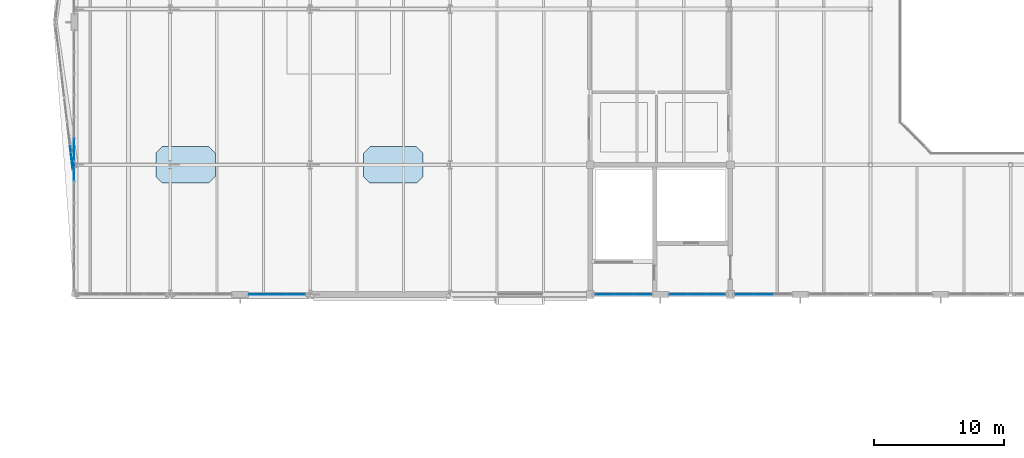
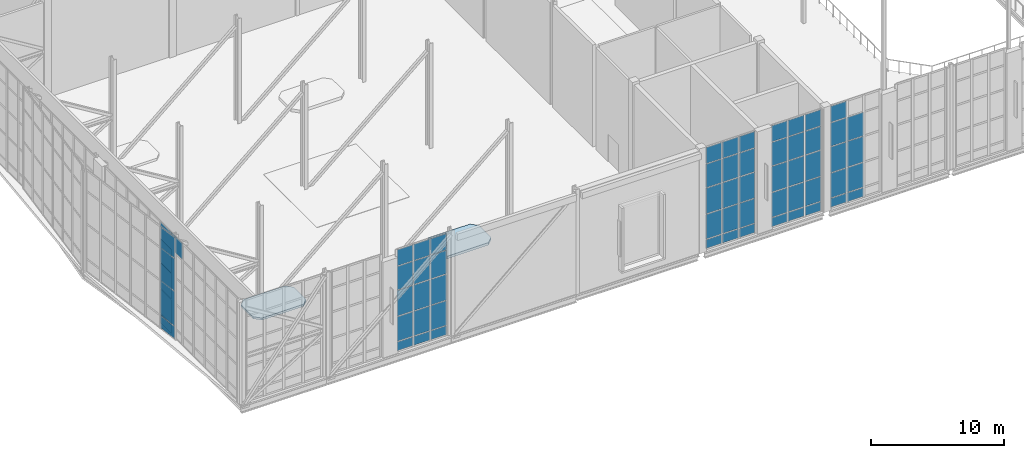
# One storey, part 62 of 100: 64 plates, 2 slabs, 6 elements without a shape of their own.
"""IFC4 building model written with IfcOpenShell, lengths in metres."""

import ifcopenshell
import ifcopenshell.guid

model = None  # the IFC model being written
_history = None  # IfcOwnerHistory: only IFC2X3 demands one
_inside = {}  # id of a spatial element -> (the spatial element, [elements in it])
_under = {}  # id of a project, library or spatial element -> (it, [spatial elements below it])
_declared = {}  # id of a project -> (the project, [libraries it declares])
_typed = {}  # id of a type object -> (the type object, [elements of that type])
_made_of = {}  # id of a material, layer set ... -> (it, [elements and type objects made of it])


def new_model(schema):
    """Start an empty IFC model of exactly this schema.

    Asked for "IFC4X3", IfcOpenShell would pick the latest addendum, in which some entities
    have other attributes; the version numbers below select the first issue.
    IFC2X3 requires an IfcOwnerHistory on every rooted entity: one is made here for all.
    """
    global model, _history
    if schema == "IFC4X3":
        model = ifcopenshell.file(schema_version=(4, 3, 0, 0))
    else:
        model = ifcopenshell.file(schema=schema)
    _inside.clear()
    _under.clear()
    _declared.clear()
    _typed.clear()
    _made_of.clear()
    _history = None
    if model.schema == "IFC2X3":
        org = make("IfcOrganization", Name="unknown")
        user = make(
            "IfcPersonAndOrganization",
            ThePerson=make("IfcPerson", FamilyName="unknown"),
            TheOrganization=org,
        )
        app = make(
            "IfcApplication",
            ApplicationDeveloper=org,
            Version="unknown",
            ApplicationFullName="unknown",
            ApplicationIdentifier="unknown",
        )
        _history = make(
            "IfcOwnerHistory",
            OwningUser=user,
            OwningApplication=app,
            ChangeAction="ADDED",
            CreationDate=0,
        )
    return model


def make(cls, **values):
    """One entity of the class cls with the attributes given. An attribute that is None is left unset."""
    return model.create_entity(
        cls, **{name: value for name, value in values.items() if value is not None}
    )


def rooted(cls, **values):
    """An entity with a GlobalId (a new one), such as an element, a storey or a relation."""
    return make(cls, GlobalId=ifcopenshell.guid.new(), OwnerHistory=_history, **values)


def si_unit(unit_type, name, prefix=None):
    """IfcSIUnit, for example si_unit("LENGTHUNIT", "METRE", prefix="MILLI")."""
    return make("IfcSIUnit", UnitType=unit_type, Prefix=prefix, Name=name)


def assignment(units):
    """IfcUnitAssignment: the units of a project."""
    return None if units is None else make("IfcUnitAssignment", Units=units)


def point(xyz):
    """IfcCartesianPoint."""
    return None if xyz is None else make("IfcCartesianPoint", Coordinates=xyz)


def direction(xyz):
    """IfcDirection."""
    return None if xyz is None else make("IfcDirection", DirectionRatios=xyz)


def frame(location, z_axis=None, x_axis=None):
    """IfcAxis2Placement3D, a coordinate frame: its origin and axes. An axis left out is left unset."""
    return make(
        "IfcAxis2Placement3D",
        Location=point(location),
        Axis=direction(z_axis),
        RefDirection=direction(x_axis),
    )


def frame_2d(location, x_axis=None):
    """IfcAxis2Placement2D, a coordinate frame in the plane: its origin and x axis."""
    return make(
        "IfcAxis2Placement2D", Location=point(location), RefDirection=direction(x_axis)
    )


def origin():
    """The frame at (0, 0, 0) with its axes left unset."""
    return frame((0.0, 0.0, 0.0))


def origin_2d():
    """The frame at (0, 0) in the plane with its x axis left unset."""
    return frame_2d((0.0, 0.0))


def place(relative_to, where):
    """IfcLocalPlacement: puts the frame where relative to a parent placement (None: the world)."""
    return make(
        "IfcLocalPlacement", PlacementRelTo=relative_to, RelativePlacement=where
    )


def context(
    kind, dimensions, precision=None, world=None, true_north=None, identifier=None
):
    """IfcGeometricRepresentationContext, for example the 3D "Model" context."""
    return make(
        "IfcGeometricRepresentationContext",
        ContextIdentifier=identifier,
        ContextType=kind,
        CoordinateSpaceDimension=dimensions,
        Precision=precision,
        WorldCoordinateSystem=world,
        TrueNorth=true_north,
    )


def subcontext(parent, identifier, kind, view, scale=None):
    """IfcGeometricRepresentationSubContext, for example "Body" below "Model"."""
    return make(
        "IfcGeometricRepresentationSubContext",
        ContextIdentifier=identifier,
        ContextType=kind,
        ParentContext=parent,
        TargetScale=scale,
        TargetView=view,
    )


def project(units=None, contexts=None):
    """IfcProject with its units and contexts."""
    return rooted(
        "IfcProject",
        Name="project",
        RepresentationContexts=contexts,
        UnitsInContext=assignment(units),
    )


def spatial(cls, under=None, at=None, **own):
    """A site, building, storey or space (cls), placed at a placement, below another one or the project."""
    s = rooted(cls, ObjectPlacement=at, **own)
    if under is not None:
        _under.setdefault(under.id(), (under, []))[1].append(s)
    return s


def polyline(points):
    """IfcPolyline through the points."""
    return make("IfcPolyline", Points=[point(p) for p in points])


def profile(cls, at=None, kind="AREA", **sizes):
    """A parametric profile (cls). Its sizes go by their IFC names, for example OverallWidth=200.0."""
    return make(cls, ProfileType=kind, Position=at, **sizes)


def rectangle(**sizes):
    """IfcRectangleProfileDef."""
    return profile("IfcRectangleProfileDef", **sizes)


def outline(outer, holes=None, kind="AREA"):
    """IfcArbitraryClosedProfileDef: a profile drawn as a closed curve; with holes, ...WithVoids."""
    if holes is None:
        return make("IfcArbitraryClosedProfileDef", ProfileType=kind, OuterCurve=outer)
    return make(
        "IfcArbitraryProfileDefWithVoids",
        ProfileType=kind,
        OuterCurve=outer,
        InnerCurves=holes,
    )


def extrude(swept, where, along, depth):
    """IfcExtrudedAreaSolid: the profile swept, set in the frame where, extruded along a direction by depth."""
    return make(
        "IfcExtrudedAreaSolid",
        SweptArea=swept,
        Position=where,
        ExtrudedDirection=direction(along),
        Depth=depth,
    )


def shape(context_of_items, identifier, shape_type, items):
    """IfcShapeRepresentation: the items that make up one representation, for example the "Body"."""
    return make(
        "IfcShapeRepresentation",
        ContextOfItems=context_of_items,
        RepresentationIdentifier=identifier,
        RepresentationType=shape_type,
        Items=items,
    )


def material(Name=None, Category=None):
    """IfcMaterial."""
    return make("IfcMaterial", Name=Name, Category=Category)


def layer(
    of_material, thickness, ventilated=None, Name=None, Category=None, Priority=None
):
    """IfcMaterialLayer: one layer of a wall or slab, of a material (None: an air gap)."""
    return make(
        "IfcMaterialLayer",
        Material=of_material,
        LayerThickness=thickness,
        IsVentilated=ventilated,
        Name=Name,
        Category=Category,
        Priority=Priority,
    )


def layer_set(layers, Name=None):
    """IfcMaterialLayerSet."""
    return make("IfcMaterialLayerSet", MaterialLayers=layers, LayerSetName=Name)


def made_of(thing, what):
    """Note that an element or type object is made of a material, layer set ...; save() writes the relation."""
    if what is not None:
        _made_of.setdefault(what.id(), (what, []))[1].append(thing)
    return thing


def type_object(cls, material=None, **own):
    """A type object (cls), such as IfcWallType, which elements share."""
    return made_of(rooted(cls, **own), material)


def element(
    cls,
    number,
    at=None,
    inside=None,
    cuts=None,
    type_object=None,
    material=None,
    context=None,
    identifier="Body",
    shape_type=None,
    held_by="IfcProductDefinitionShape",
    body=None,
    shapes=None,
    **own,
):
    """One element of the class cls, such as IfcWall. Its Tag is "e" and its number.

    at: its placement. inside: the storey or other place that contains it. cuts: it is an
    opening in that element (IfcRelVoidsElement). A single representation is given by context,
    identifier, shape_type and body (its items); several are given by shapes. held_by: the class
    of the entity that holds the representations. save() writes the other relations.
    """
    e = rooted(cls, Tag="e%d" % number, ObjectPlacement=at, **own)
    if body is not None:
        shapes = [shape(context, identifier, shape_type, body)]
    if shapes is not None:
        e.Representation = make(held_by, Representations=shapes)
    if inside is not None:
        _inside.setdefault(inside.id(), (inside, []))[1].append(e)
    if cuts is not None:
        rooted(
            "IfcRelVoidsElement", RelatingBuildingElement=cuts, RelatedOpeningElement=e
        )
    if type_object is not None:
        _typed.setdefault(type_object.id(), (type_object, []))[1].append(e)
    return made_of(e, material)


def aggregate(whole, parts):
    """IfcRelAggregates: a whole, such as a stair, and the parts it consists of."""
    return rooted("IfcRelAggregates", RelatingObject=whole, RelatedObjects=parts)


def save(model, path):
    """Write the relations noted so far, then the file.

    IfcRelAggregates (storeys below a building ...), IfcRelContainedInSpatialStructure (elements
    in a storey), IfcRelDefinesByType, IfcRelAssociatesMaterial and IfcRelDeclares: one each for
    every whole, place, type object, material and project.
    """
    for whole, parts in _under.values():
        aggregate(whole, parts)
    for where, things in _inside.values():
        rooted(
            "IfcRelContainedInSpatialStructure",
            RelatedElements=things,
            RelatingStructure=where,
        )
    for kind, things in _typed.values():
        rooted("IfcRelDefinesByType", RelatedObjects=things, RelatingType=kind)
    for what, things in _made_of.values():
        rooted("IfcRelAssociatesMaterial", RelatedObjects=things, RelatingMaterial=what)
    for by, libraries in _declared.values():
        rooted("IfcRelDeclares", RelatingContext=by, RelatedDefinitions=libraries)
    model.write(path)


model = new_model("IFC4")

# Units and contexts
model_context = context("Model", 3, precision=1e-05, world=origin(), true_north=direction((0.0, 1.0)))
body_context = subcontext(model_context, "Body", "Model", "MODEL_VIEW")
ifc_project = project(units=[si_unit("LENGTHUNIT", "METRE"), si_unit("AREAUNIT", "SQUARE_METRE"), si_unit("VOLUMEUNIT", "CUBIC_METRE"), si_unit("PLANEANGLEUNIT", "RADIAN"), si_unit("MASSUNIT", "GRAM", prefix="KILO")], contexts=[model_context])

# Site, building, storey
site_placement = place(None, origin())
site = spatial("IfcSite", under=ifc_project, at=site_placement, CompositionType="ELEMENT")
building_placement = place(site_placement, origin())
building = spatial("IfcBuilding", under=site, at=building_placement, Name="Tasgan Crest Museum", CompositionType="ELEMENT")
storey_placement = place(building_placement, frame((0.0, 0.0, 14.39990234375)))
storey = spatial("IfcBuildingStorey", under=building, at=storey_placement, Name="L03", CompositionType="ELEMENT", Elevation=14.39990234375)

# Curtain wall, plate
ifc_material_1 = material(Name="Triple-Glazed Aluminium Curtain Wall", Category="aluminium")
ifc_layer_1 = layer(ifc_material_1, 0.179931640625, Name="CW-CANT-TIP-96")
ifc_layer_set_1 = layer_set([ifc_layer_1], Name="Triple-Glazed Aluminium Curtain Wall")
curtain_wall_type_1 = type_object("IfcCurtainWallType", Name="CW-CANT-TIP-96", PredefinedType="NOTDEFINED", material=ifc_layer_set_1)
curtain_wall_1_placement = place(storey_placement, origin())
curtain_wall_1 = element("IfcCurtainWall", 1, at=curtain_wall_1_placement, inside=storey, type_object=curtain_wall_type_1, Name="Curtain wall L03 139", PredefinedType="NOTDEFINED")
ifc_material_2 = material(Name="Insulated Spandrel Glass", Category="glass")
ifc_layer_2 = layer(ifc_material_2, 0.052001953125, Name="CW-PANEL-SPANDREL")
ifc_layer_set_2 = layer_set([ifc_layer_2], Name="Insulated Spandrel Glass")
plate_type_1 = type_object("IfcPlateType", Name="CW-PANEL-SPANDREL", PredefinedType="CURTAIN_PANEL", material=ifc_layer_set_2)
plate_1_placement = place(storey_placement, frame((3.39990234375, 51.19287109375, 0.06005859375), z_axis=(0.0, 0.0, 1.0), x_axis=(0.0, -1.0, 0.0)))
plate_1 = element("IfcPlate", 2, at=plate_1_placement, type_object=plate_type_1, Name="CW10 panel 6.1", PredefinedType="CURTAIN_PANEL", context=body_context, shape_type="SweptSolid", body=[
    extrude(rectangle(XDim=1.605712890625, YDim=0.028076171875, at=origin_2d()), origin(), (0.0, 0.0, 1.0), 0.81005859375),
])

# Curtain wall, plates
ifc_material_3 = material(Name="Triple-Glazed Aluminium Curtain Wall", Category="aluminium")
ifc_layer_3 = layer(ifc_material_3, 0.179931640625, Name="CW-CANT-SIDE-96")
ifc_layer_set_3 = layer_set([ifc_layer_3], Name="Triple-Glazed Aluminium Curtain Wall")
curtain_wall_type_2 = type_object("IfcCurtainWallType", Name="CW-CANT-SIDE-96", PredefinedType="NOTDEFINED", material=ifc_layer_set_3)
curtain_wall_2_placement = place(storey_placement, origin())
curtain_wall_2 = element("IfcCurtainWall", 3, at=curtain_wall_2_placement, inside=storey, type_object=curtain_wall_type_2, Name="Curtain wall L03 142", PredefinedType="NOTDEFINED")
plate_2_placement = place(storey_placement, frame((17.591552734375, 40.0, 0.06005859375), z_axis=(0.0, 0.0, 1.0), x_axis=(1.0, 0.0, 0.0)))
plate_2 = element("IfcPlate", 4, at=plate_2_placement, type_object=plate_type_1, Name="CW12 panel 1.1", PredefinedType="CURTAIN_PANEL", context=body_context, shape_type="SweptSolid", body=[
    extrude(rectangle(XDim=1.373291015625, YDim=0.028076171875, at=origin_2d()), origin(), (0.0, 0.0, 1.0), 0.81005859375),
])
plate_3_placement = place(storey_placement, frame((19.0400390625, 40.0, 0.06005859375), z_axis=(0.0, 0.0, 1.0), x_axis=(1.0, 0.0, 0.0)))
plate_3 = element("IfcPlate", 5, at=plate_3_placement, type_object=plate_type_1, Name="CW12 panel 2.1", PredefinedType="CURTAIN_PANEL", context=body_context, shape_type="SweptSolid", body=[
    extrude(rectangle(XDim=1.4033203125, YDim=0.028076171875, at=origin_2d()), origin(), (0.0, 0.0, 1.0), 0.81005859375),
])
plate_4_placement = place(storey_placement, frame((20.48828125, 40.0, 0.06005859375), z_axis=(0.0, 0.0, 1.0), x_axis=(1.0, 0.0, 0.0)))
plate_4 = element("IfcPlate", 6, at=plate_4_placement, type_object=plate_type_1, Name="CW12 panel 3.1", PredefinedType="CURTAIN_PANEL", context=body_context, shape_type="SweptSolid", body=[
    extrude(rectangle(XDim=1.373291015625, YDim=0.028076171875, at=origin_2d()), origin(), (0.0, 0.0, 1.0), 0.81005859375),
])

curtain_wall_3_placement = place(storey_placement, origin())
curtain_wall_3 = element("IfcCurtainWall", 7, at=curtain_wall_3_placement, inside=storey, type_object=curtain_wall_type_2, Name="Curtain wall L03 143", PredefinedType="NOTDEFINED")
plate_5_placement = place(storey_placement, frame((44.311767578125, 40.0, 0.06005859375), z_axis=(0.0, 0.0, 1.0), x_axis=(1.0, 0.0, 0.0)))
plate_5 = element("IfcPlate", 8, at=plate_5_placement, type_object=plate_type_1, Name="CW12 panel 1.1", PredefinedType="CURTAIN_PANEL", context=body_context, shape_type="SweptSolid", body=[
    extrude(rectangle(XDim=1.373291015625, YDim=0.028076171875, at=origin_2d()), origin(), (0.0, 0.0, 1.0), 0.81005859375),
])
plate_6_placement = place(storey_placement, frame((45.760009765625, 40.0, 0.06005859375), z_axis=(0.0, 0.0, 1.0), x_axis=(1.0, 0.0, 0.0)))
plate_6 = element("IfcPlate", 9, at=plate_6_placement, type_object=plate_type_1, Name="CW12 panel 2.1", PredefinedType="CURTAIN_PANEL", context=body_context, shape_type="SweptSolid", body=[
    extrude(rectangle(XDim=1.4033203125, YDim=0.028076171875, at=origin_2d()), origin(), (0.0, 0.0, 1.0), 0.81005859375),
])
plate_7_placement = place(storey_placement, frame((47.208251953125, 40.0, 0.06005859375), z_axis=(0.0, 0.0, 1.0), x_axis=(1.0, 0.0, 0.0)))
plate_7 = element("IfcPlate", 10, at=plate_7_placement, type_object=plate_type_1, Name="CW12 panel 3.1", PredefinedType="CURTAIN_PANEL", context=body_context, shape_type="SweptSolid", body=[
    extrude(rectangle(XDim=1.373291015625, YDim=0.028076171875, at=origin_2d()), origin(), (0.0, 0.0, 1.0), 0.81005859375),
])

curtain_wall_4_placement = place(storey_placement, origin())
curtain_wall_4 = element("IfcCurtainWall", 11, at=curtain_wall_4_placement, inside=storey, type_object=curtain_wall_type_2, Name="Curtain wall L03 144", PredefinedType="NOTDEFINED")
plate_8_placement = place(storey_placement, frame((49.99169921875, 40.0, 0.06005859375), z_axis=(0.0, 0.0, 1.0), x_axis=(1.0, 0.0, 0.0)))
plate_8 = element("IfcPlate", 12, at=plate_8_placement, type_object=plate_type_1, Name="CW12 panel 1.1", PredefinedType="CURTAIN_PANEL", context=body_context, shape_type="SweptSolid", body=[
    extrude(rectangle(XDim=1.373291015625, YDim=0.028076171875, at=origin_2d()), origin(), (0.0, 0.0, 1.0), 0.81005859375),
])
plate_9_placement = place(storey_placement, frame((51.43994140625, 40.0, 0.06005859375), z_axis=(0.0, 0.0, 1.0), x_axis=(1.0, 0.0, 0.0)))
plate_9 = element("IfcPlate", 13, at=plate_9_placement, type_object=plate_type_1, Name="CW12 panel 2.1", PredefinedType="CURTAIN_PANEL", context=body_context, shape_type="SweptSolid", body=[
    extrude(rectangle(XDim=1.4033203125, YDim=0.028076171875, at=origin_2d()), origin(), (0.0, 0.0, 1.0), 0.81005859375),
])
plate_10_placement = place(storey_placement, frame((52.888427734375, 40.0, 0.06005859375), z_axis=(0.0, 0.0, 1.0), x_axis=(1.0, 0.0, 0.0)))
plate_10 = element("IfcPlate", 14, at=plate_10_placement, type_object=plate_type_1, Name="CW12 panel 3.1", PredefinedType="CURTAIN_PANEL", context=body_context, shape_type="SweptSolid", body=[
    extrude(rectangle(XDim=1.373291015625, YDim=0.028076171875, at=origin_2d()), origin(), (0.0, 0.0, 1.0), 0.81005859375),
])

ifc_material_4 = material(Name="Triple-Glazed Aluminium Curtain Wall", Category="aluminium")
ifc_layer_4 = layer(ifc_material_4, 0.179931640625, Name="CW-DRUM-X-96")
ifc_layer_set_4 = layer_set([ifc_layer_4], Name="Triple-Glazed Aluminium Curtain Wall")
curtain_wall_type_3 = type_object("IfcCurtainWallType", Name="CW-DRUM-X-96", PredefinedType="NOTDEFINED", material=ifc_layer_set_4)
curtain_wall_5_placement = place(storey_placement, origin())
curtain_wall_5 = element("IfcCurtainWall", 15, at=curtain_wall_5_placement, inside=storey, type_object=curtain_wall_type_3, Name="Curtain wall L03 145", PredefinedType="NOTDEFINED")
plate_11_placement = place(storey_placement, frame((55.111572265625, 40.0, 0.06005859375), z_axis=(0.0, 0.0, 1.0), x_axis=(1.0, 0.0, 0.0)))
plate_11 = element("IfcPlate", 16, at=plate_11_placement, type_object=plate_type_1, Name="CW06 panel 1.1", PredefinedType="CURTAIN_PANEL", context=body_context, shape_type="SweptSolid", body=[
    extrude(rectangle(XDim=1.373291015625, YDim=0.028076171875, at=origin_2d()), origin(), (0.0, 0.0, 1.0), 0.81005859375),
])
plate_12_placement = place(storey_placement, frame((56.56005859375, 40.0, 0.06005859375), z_axis=(0.0, 0.0, 1.0), x_axis=(1.0, 0.0, 0.0)))
plate_12 = element("IfcPlate", 17, at=plate_12_placement, type_object=plate_type_1, Name="CW06 panel 2.1", PredefinedType="CURTAIN_PANEL", context=body_context, shape_type="SweptSolid", body=[
    extrude(rectangle(XDim=1.4033203125, YDim=0.028076171875, at=origin_2d()), origin(), (0.0, 0.0, 1.0), 0.81005859375),
])

# Plate
ifc_material_5 = material(Name="Low-E Triple Glazing", Category="glass")
ifc_layer_5 = layer(ifc_material_5, 0.0439453125, Name="CW-PANEL-TRIPLE")
ifc_layer_set_5 = layer_set([ifc_layer_5], Name="Low-E Triple Glazing")
plate_type_2 = type_object("IfcPlateType", Name="CW-PANEL-TRIPLE", PredefinedType="CURTAIN_PANEL", material=ifc_layer_set_5)
plate_13_placement = place(storey_placement, frame((3.39990234375, 51.19287109375, 0.93017578125), z_axis=(0.0, 0.0, 1.0), x_axis=(0.0, -1.0, 0.0)))
plate_13 = element("IfcPlate", 18, at=plate_13_placement, type_object=plate_type_2, Name="CW10 panel 6.2", PredefinedType="CURTAIN_PANEL", context=body_context, shape_type="SweptSolid", body=[
    extrude(rectangle(XDim=1.605712890625, YDim=0.028076171875, at=origin_2d()), origin(), (0.0, 0.0, 1.0), 2.239990234375),
])

plate_14_placement = place(storey_placement, frame((3.39990234375, 51.19287109375, 3.22998046875), z_axis=(0.0, 0.0, 1.0), x_axis=(0.0, -1.0, 0.0)))
plate_14 = element("IfcPlate", 19, at=plate_14_placement, type_object=plate_type_2, Name="CW10 panel 6.3", PredefinedType="CURTAIN_PANEL", context=body_context, shape_type="SweptSolid", body=[
    extrude(rectangle(XDim=1.605712890625, YDim=0.028076171875, at=origin_2d()), origin(), (0.0, 0.0, 1.0), 2.340087890625),
])

plate_15_placement = place(storey_placement, frame((3.39990234375, 51.19287109375, 5.63037109375), z_axis=(0.0, 0.0, 1.0), x_axis=(0.0, -1.0, 0.0)))
plate_15 = element("IfcPlate", 20, at=plate_15_placement, type_object=plate_type_2, Name="CW10 panel 6.4", PredefinedType="CURTAIN_PANEL", context=body_context, shape_type="SweptSolid", body=[
    extrude(rectangle(XDim=1.605712890625, YDim=0.028076171875, at=origin_2d()), origin(), (0.0, 0.0, 1.0), 2.139892578125),
])

plate_16_placement = place(storey_placement, frame((3.39990234375, 51.19287109375, 7.830078125), z_axis=(0.0, 0.0, 1.0), x_axis=(0.0, -1.0, 0.0)))
plate_16 = element("IfcPlate", 21, at=plate_16_placement, type_object=plate_type_2, Name="CW10 panel 6.5", PredefinedType="CURTAIN_PANEL", context=body_context, shape_type="SweptSolid", body=[
    extrude(rectangle(XDim=1.605712890625, YDim=0.028076171875, at=origin_2d()), origin(), (0.0, 0.0, 1.0), 1.469970703125),
])

plate_17_placement = place(storey_placement, frame((3.39990234375, 49.527099609375, 7.830078125), z_axis=(0.0, 0.0, 1.0), x_axis=(0.0, -1.0, 0.0)))
plate_17 = element("IfcPlate", 22, at=plate_17_placement, type_object=plate_type_2, Name="CW10 panel 7.5", PredefinedType="CURTAIN_PANEL", context=body_context, shape_type="SweptSolid", body=[
    extrude(rectangle(XDim=1.605712890625, YDim=0.028076171875, at=origin_2d()), origin(), (0.0, 0.0, 1.0), 1.469970703125),
])

aggregate(curtain_wall_1, [plate_1, plate_13, plate_14, plate_15, plate_16, plate_17])

plate_18_placement = place(storey_placement, frame((17.591552734375, 40.0, 0.93017578125), z_axis=(0.0, 0.0, 1.0), x_axis=(1.0, 0.0, 0.0)))
plate_18 = element("IfcPlate", 23, at=plate_18_placement, type_object=plate_type_2, Name="CW12 panel 1.2", PredefinedType="CURTAIN_PANEL", context=body_context, shape_type="SweptSolid", body=[
    extrude(rectangle(XDim=1.373291015625, YDim=0.028076171875, at=origin_2d()), origin(), (0.0, 0.0, 1.0), 2.239990234375),
])

plate_19_placement = place(storey_placement, frame((17.591552734375, 40.0, 3.22998046875), z_axis=(0.0, 0.0, 1.0), x_axis=(1.0, 0.0, 0.0)))
plate_19 = element("IfcPlate", 24, at=plate_19_placement, type_object=plate_type_2, Name="CW12 panel 1.3", PredefinedType="CURTAIN_PANEL", context=body_context, shape_type="SweptSolid", body=[
    extrude(rectangle(XDim=1.373291015625, YDim=0.028076171875, at=origin_2d()), origin(), (0.0, 0.0, 1.0), 2.340087890625),
])

plate_20_placement = place(storey_placement, frame((17.591552734375, 40.0, 5.63037109375), z_axis=(0.0, 0.0, 1.0), x_axis=(1.0, 0.0, 0.0)))
plate_20 = element("IfcPlate", 25, at=plate_20_placement, type_object=plate_type_2, Name="CW12 panel 1.4", PredefinedType="CURTAIN_PANEL", context=body_context, shape_type="SweptSolid", body=[
    extrude(rectangle(XDim=1.373291015625, YDim=0.028076171875, at=origin_2d()), origin(), (0.0, 0.0, 1.0), 2.139892578125),
])

plate_21_placement = place(storey_placement, frame((17.591552734375, 40.0, 7.830078125), z_axis=(0.0, 0.0, 1.0), x_axis=(1.0, 0.0, 0.0)))
plate_21 = element("IfcPlate", 26, at=plate_21_placement, type_object=plate_type_2, Name="CW12 panel 1.5", PredefinedType="CURTAIN_PANEL", context=body_context, shape_type="SweptSolid", body=[
    extrude(rectangle(XDim=1.373291015625, YDim=0.028076171875, at=origin_2d()), origin(), (0.0, 0.0, 1.0), 1.469970703125),
])

plate_22_placement = place(storey_placement, frame((19.0400390625, 40.0, 0.93017578125), z_axis=(0.0, 0.0, 1.0), x_axis=(1.0, 0.0, 0.0)))
plate_22 = element("IfcPlate", 27, at=plate_22_placement, type_object=plate_type_2, Name="CW12 panel 2.2", PredefinedType="CURTAIN_PANEL", context=body_context, shape_type="SweptSolid", body=[
    extrude(rectangle(XDim=1.4033203125, YDim=0.028076171875, at=origin_2d()), origin(), (0.0, 0.0, 1.0), 2.239990234375),
])

plate_23_placement = place(storey_placement, frame((19.0400390625, 40.0, 3.22998046875), z_axis=(0.0, 0.0, 1.0), x_axis=(1.0, 0.0, 0.0)))
plate_23 = element("IfcPlate", 28, at=plate_23_placement, type_object=plate_type_2, Name="CW12 panel 2.3", PredefinedType="CURTAIN_PANEL", context=body_context, shape_type="SweptSolid", body=[
    extrude(rectangle(XDim=1.4033203125, YDim=0.028076171875, at=origin_2d()), origin(), (0.0, 0.0, 1.0), 2.340087890625),
])

plate_24_placement = place(storey_placement, frame((19.0400390625, 40.0, 5.63037109375), z_axis=(0.0, 0.0, 1.0), x_axis=(1.0, 0.0, 0.0)))
plate_24 = element("IfcPlate", 29, at=plate_24_placement, type_object=plate_type_2, Name="CW12 panel 2.4", PredefinedType="CURTAIN_PANEL", context=body_context, shape_type="SweptSolid", body=[
    extrude(rectangle(XDim=1.4033203125, YDim=0.028076171875, at=origin_2d()), origin(), (0.0, 0.0, 1.0), 2.139892578125),
])

plate_25_placement = place(storey_placement, frame((19.0400390625, 40.0, 7.830078125), z_axis=(0.0, 0.0, 1.0), x_axis=(1.0, 0.0, 0.0)))
plate_25 = element("IfcPlate", 30, at=plate_25_placement, type_object=plate_type_2, Name="CW12 panel 2.5", PredefinedType="CURTAIN_PANEL", context=body_context, shape_type="SweptSolid", body=[
    extrude(rectangle(XDim=1.4033203125, YDim=0.028076171875, at=origin_2d()), origin(), (0.0, 0.0, 1.0), 1.469970703125),
])

plate_26_placement = place(storey_placement, frame((20.48828125, 40.0, 0.93017578125), z_axis=(0.0, 0.0, 1.0), x_axis=(1.0, 0.0, 0.0)))
plate_26 = element("IfcPlate", 31, at=plate_26_placement, type_object=plate_type_2, Name="CW12 panel 3.2", PredefinedType="CURTAIN_PANEL", context=body_context, shape_type="SweptSolid", body=[
    extrude(rectangle(XDim=1.373291015625, YDim=0.028076171875, at=origin_2d()), origin(), (0.0, 0.0, 1.0), 2.239990234375),
])

plate_27_placement = place(storey_placement, frame((20.48828125, 40.0, 3.22998046875), z_axis=(0.0, 0.0, 1.0), x_axis=(1.0, 0.0, 0.0)))
plate_27 = element("IfcPlate", 32, at=plate_27_placement, type_object=plate_type_2, Name="CW12 panel 3.3", PredefinedType="CURTAIN_PANEL", context=body_context, shape_type="SweptSolid", body=[
    extrude(rectangle(XDim=1.373291015625, YDim=0.028076171875, at=origin_2d()), origin(), (0.0, 0.0, 1.0), 2.340087890625),
])

plate_28_placement = place(storey_placement, frame((20.48828125, 40.0, 5.63037109375), z_axis=(0.0, 0.0, 1.0), x_axis=(1.0, 0.0, 0.0)))
plate_28 = element("IfcPlate", 33, at=plate_28_placement, type_object=plate_type_2, Name="CW12 panel 3.4", PredefinedType="CURTAIN_PANEL", context=body_context, shape_type="SweptSolid", body=[
    extrude(rectangle(XDim=1.373291015625, YDim=0.028076171875, at=origin_2d()), origin(), (0.0, 0.0, 1.0), 2.139892578125),
])

plate_29_placement = place(storey_placement, frame((20.48828125, 40.0, 7.830078125), z_axis=(0.0, 0.0, 1.0), x_axis=(1.0, 0.0, 0.0)))
plate_29 = element("IfcPlate", 34, at=plate_29_placement, type_object=plate_type_2, Name="CW12 panel 3.5", PredefinedType="CURTAIN_PANEL", context=body_context, shape_type="SweptSolid", body=[
    extrude(rectangle(XDim=1.373291015625, YDim=0.028076171875, at=origin_2d()), origin(), (0.0, 0.0, 1.0), 1.469970703125),
])

aggregate(curtain_wall_2, [plate_2, plate_18, plate_19, plate_20, plate_21, plate_3, plate_22, plate_23, plate_24, plate_25, plate_4, plate_26, plate_27, plate_28, plate_29])

plate_30_placement = place(storey_placement, frame((44.311767578125, 40.0, 0.93017578125), z_axis=(0.0, 0.0, 1.0), x_axis=(1.0, 0.0, 0.0)))
plate_30 = element("IfcPlate", 35, at=plate_30_placement, type_object=plate_type_2, Name="CW12 panel 1.2", PredefinedType="CURTAIN_PANEL", context=body_context, shape_type="SweptSolid", body=[
    extrude(rectangle(XDim=1.373291015625, YDim=0.028076171875, at=origin_2d()), origin(), (0.0, 0.0, 1.0), 2.239990234375),
])

plate_31_placement = place(storey_placement, frame((44.311767578125, 40.0, 3.22998046875), z_axis=(0.0, 0.0, 1.0), x_axis=(1.0, 0.0, 0.0)))
plate_31 = element("IfcPlate", 36, at=plate_31_placement, type_object=plate_type_2, Name="CW12 panel 1.3", PredefinedType="CURTAIN_PANEL", context=body_context, shape_type="SweptSolid", body=[
    extrude(rectangle(XDim=1.373291015625, YDim=0.028076171875, at=origin_2d()), origin(), (0.0, 0.0, 1.0), 2.340087890625),
])

plate_32_placement = place(storey_placement, frame((44.311767578125, 40.0, 5.63037109375), z_axis=(0.0, 0.0, 1.0), x_axis=(1.0, 0.0, 0.0)))
plate_32 = element("IfcPlate", 37, at=plate_32_placement, type_object=plate_type_2, Name="CW12 panel 1.4", PredefinedType="CURTAIN_PANEL", context=body_context, shape_type="SweptSolid", body=[
    extrude(rectangle(XDim=1.373291015625, YDim=0.028076171875, at=origin_2d()), origin(), (0.0, 0.0, 1.0), 2.139892578125),
])

plate_33_placement = place(storey_placement, frame((44.311767578125, 40.0, 7.830078125), z_axis=(0.0, 0.0, 1.0), x_axis=(1.0, 0.0, 0.0)))
plate_33 = element("IfcPlate", 38, at=plate_33_placement, type_object=plate_type_2, Name="CW12 panel 1.5", PredefinedType="CURTAIN_PANEL", context=body_context, shape_type="SweptSolid", body=[
    extrude(rectangle(XDim=1.373291015625, YDim=0.028076171875, at=origin_2d()), origin(), (0.0, 0.0, 1.0), 1.469970703125),
])

plate_34_placement = place(storey_placement, frame((45.760009765625, 40.0, 0.93017578125), z_axis=(0.0, 0.0, 1.0), x_axis=(1.0, 0.0, 0.0)))
plate_34 = element("IfcPlate", 39, at=plate_34_placement, type_object=plate_type_2, Name="CW12 panel 2.2", PredefinedType="CURTAIN_PANEL", context=body_context, shape_type="SweptSolid", body=[
    extrude(rectangle(XDim=1.4033203125, YDim=0.028076171875, at=origin_2d()), origin(), (0.0, 0.0, 1.0), 2.239990234375),
])

plate_35_placement = place(storey_placement, frame((45.760009765625, 40.0, 3.22998046875), z_axis=(0.0, 0.0, 1.0), x_axis=(1.0, 0.0, 0.0)))
plate_35 = element("IfcPlate", 40, at=plate_35_placement, type_object=plate_type_2, Name="CW12 panel 2.3", PredefinedType="CURTAIN_PANEL", context=body_context, shape_type="SweptSolid", body=[
    extrude(rectangle(XDim=1.4033203125, YDim=0.028076171875, at=origin_2d()), origin(), (0.0, 0.0, 1.0), 2.340087890625),
])

plate_36_placement = place(storey_placement, frame((45.760009765625, 40.0, 5.63037109375), z_axis=(0.0, 0.0, 1.0), x_axis=(1.0, 0.0, 0.0)))
plate_36 = element("IfcPlate", 41, at=plate_36_placement, type_object=plate_type_2, Name="CW12 panel 2.4", PredefinedType="CURTAIN_PANEL", context=body_context, shape_type="SweptSolid", body=[
    extrude(rectangle(XDim=1.4033203125, YDim=0.028076171875, at=origin_2d()), origin(), (0.0, 0.0, 1.0), 2.139892578125),
])

plate_37_placement = place(storey_placement, frame((45.760009765625, 40.0, 7.830078125), z_axis=(0.0, 0.0, 1.0), x_axis=(1.0, 0.0, 0.0)))
plate_37 = element("IfcPlate", 42, at=plate_37_placement, type_object=plate_type_2, Name="CW12 panel 2.5", PredefinedType="CURTAIN_PANEL", context=body_context, shape_type="SweptSolid", body=[
    extrude(rectangle(XDim=1.4033203125, YDim=0.028076171875, at=origin_2d()), origin(), (0.0, 0.0, 1.0), 1.469970703125),
])

plate_38_placement = place(storey_placement, frame((47.208251953125, 40.0, 0.93017578125), z_axis=(0.0, 0.0, 1.0), x_axis=(1.0, 0.0, 0.0)))
plate_38 = element("IfcPlate", 43, at=plate_38_placement, type_object=plate_type_2, Name="CW12 panel 3.2", PredefinedType="CURTAIN_PANEL", context=body_context, shape_type="SweptSolid", body=[
    extrude(rectangle(XDim=1.373291015625, YDim=0.028076171875, at=origin_2d()), origin(), (0.0, 0.0, 1.0), 2.239990234375),
])

plate_39_placement = place(storey_placement, frame((47.208251953125, 40.0, 3.22998046875), z_axis=(0.0, 0.0, 1.0), x_axis=(1.0, 0.0, 0.0)))
plate_39 = element("IfcPlate", 44, at=plate_39_placement, type_object=plate_type_2, Name="CW12 panel 3.3", PredefinedType="CURTAIN_PANEL", context=body_context, shape_type="SweptSolid", body=[
    extrude(rectangle(XDim=1.373291015625, YDim=0.028076171875, at=origin_2d()), origin(), (0.0, 0.0, 1.0), 2.340087890625),
])

plate_40_placement = place(storey_placement, frame((47.208251953125, 40.0, 5.63037109375), z_axis=(0.0, 0.0, 1.0), x_axis=(1.0, 0.0, 0.0)))
plate_40 = element("IfcPlate", 45, at=plate_40_placement, type_object=plate_type_2, Name="CW12 panel 3.4", PredefinedType="CURTAIN_PANEL", context=body_context, shape_type="SweptSolid", body=[
    extrude(rectangle(XDim=1.373291015625, YDim=0.028076171875, at=origin_2d()), origin(), (0.0, 0.0, 1.0), 2.139892578125),
])

plate_41_placement = place(storey_placement, frame((47.208251953125, 40.0, 7.830078125), z_axis=(0.0, 0.0, 1.0), x_axis=(1.0, 0.0, 0.0)))
plate_41 = element("IfcPlate", 46, at=plate_41_placement, type_object=plate_type_2, Name="CW12 panel 3.5", PredefinedType="CURTAIN_PANEL", context=body_context, shape_type="SweptSolid", body=[
    extrude(rectangle(XDim=1.373291015625, YDim=0.028076171875, at=origin_2d()), origin(), (0.0, 0.0, 1.0), 1.469970703125),
])

aggregate(curtain_wall_3, [plate_5, plate_30, plate_31, plate_32, plate_33, plate_6, plate_34, plate_35, plate_36, plate_37, plate_7, plate_38, plate_39, plate_40, plate_41])

plate_42_placement = place(storey_placement, frame((49.99169921875, 40.0, 0.93017578125), z_axis=(0.0, 0.0, 1.0), x_axis=(1.0, 0.0, 0.0)))
plate_42 = element("IfcPlate", 47, at=plate_42_placement, type_object=plate_type_2, Name="CW12 panel 1.2", PredefinedType="CURTAIN_PANEL", context=body_context, shape_type="SweptSolid", body=[
    extrude(rectangle(XDim=1.373291015625, YDim=0.028076171875, at=origin_2d()), origin(), (0.0, 0.0, 1.0), 2.239990234375),
])

plate_43_placement = place(storey_placement, frame((49.99169921875, 40.0, 3.22998046875), z_axis=(0.0, 0.0, 1.0), x_axis=(1.0, 0.0, 0.0)))
plate_43 = element("IfcPlate", 48, at=plate_43_placement, type_object=plate_type_2, Name="CW12 panel 1.3", PredefinedType="CURTAIN_PANEL", context=body_context, shape_type="SweptSolid", body=[
    extrude(rectangle(XDim=1.373291015625, YDim=0.028076171875, at=origin_2d()), origin(), (0.0, 0.0, 1.0), 2.340087890625),
])

plate_44_placement = place(storey_placement, frame((49.99169921875, 40.0, 5.63037109375), z_axis=(0.0, 0.0, 1.0), x_axis=(1.0, 0.0, 0.0)))
plate_44 = element("IfcPlate", 49, at=plate_44_placement, type_object=plate_type_2, Name="CW12 panel 1.4", PredefinedType="CURTAIN_PANEL", context=body_context, shape_type="SweptSolid", body=[
    extrude(rectangle(XDim=1.373291015625, YDim=0.028076171875, at=origin_2d()), origin(), (0.0, 0.0, 1.0), 2.139892578125),
])

plate_45_placement = place(storey_placement, frame((49.99169921875, 40.0, 7.830078125), z_axis=(0.0, 0.0, 1.0), x_axis=(1.0, 0.0, 0.0)))
plate_45 = element("IfcPlate", 50, at=plate_45_placement, type_object=plate_type_2, Name="CW12 panel 1.5", PredefinedType="CURTAIN_PANEL", context=body_context, shape_type="SweptSolid", body=[
    extrude(rectangle(XDim=1.373291015625, YDim=0.028076171875, at=origin_2d()), origin(), (0.0, 0.0, 1.0), 1.469970703125),
])

plate_46_placement = place(storey_placement, frame((51.43994140625, 40.0, 0.93017578125), z_axis=(0.0, 0.0, 1.0), x_axis=(1.0, 0.0, 0.0)))
plate_46 = element("IfcPlate", 51, at=plate_46_placement, type_object=plate_type_2, Name="CW12 panel 2.2", PredefinedType="CURTAIN_PANEL", context=body_context, shape_type="SweptSolid", body=[
    extrude(rectangle(XDim=1.4033203125, YDim=0.028076171875, at=origin_2d()), origin(), (0.0, 0.0, 1.0), 2.239990234375),
])

plate_47_placement = place(storey_placement, frame((51.43994140625, 40.0, 3.22998046875), z_axis=(0.0, 0.0, 1.0), x_axis=(1.0, 0.0, 0.0)))
plate_47 = element("IfcPlate", 52, at=plate_47_placement, type_object=plate_type_2, Name="CW12 panel 2.3", PredefinedType="CURTAIN_PANEL", context=body_context, shape_type="SweptSolid", body=[
    extrude(rectangle(XDim=1.4033203125, YDim=0.028076171875, at=origin_2d()), origin(), (0.0, 0.0, 1.0), 2.340087890625),
])

plate_48_placement = place(storey_placement, frame((51.43994140625, 40.0, 5.63037109375), z_axis=(0.0, 0.0, 1.0), x_axis=(1.0, 0.0, 0.0)))
plate_48 = element("IfcPlate", 53, at=plate_48_placement, type_object=plate_type_2, Name="CW12 panel 2.4", PredefinedType="CURTAIN_PANEL", context=body_context, shape_type="SweptSolid", body=[
    extrude(rectangle(XDim=1.4033203125, YDim=0.028076171875, at=origin_2d()), origin(), (0.0, 0.0, 1.0), 2.139892578125),
])

plate_49_placement = place(storey_placement, frame((51.43994140625, 40.0, 7.830078125), z_axis=(0.0, 0.0, 1.0), x_axis=(1.0, 0.0, 0.0)))
plate_49 = element("IfcPlate", 54, at=plate_49_placement, type_object=plate_type_2, Name="CW12 panel 2.5", PredefinedType="CURTAIN_PANEL", context=body_context, shape_type="SweptSolid", body=[
    extrude(rectangle(XDim=1.4033203125, YDim=0.028076171875, at=origin_2d()), origin(), (0.0, 0.0, 1.0), 1.469970703125),
])

plate_50_placement = place(storey_placement, frame((52.888427734375, 40.0, 0.93017578125), z_axis=(0.0, 0.0, 1.0), x_axis=(1.0, 0.0, 0.0)))
plate_50 = element("IfcPlate", 55, at=plate_50_placement, type_object=plate_type_2, Name="CW12 panel 3.2", PredefinedType="CURTAIN_PANEL", context=body_context, shape_type="SweptSolid", body=[
    extrude(rectangle(XDim=1.373291015625, YDim=0.028076171875, at=origin_2d()), origin(), (0.0, 0.0, 1.0), 2.239990234375),
])

plate_51_placement = place(storey_placement, frame((52.888427734375, 40.0, 3.22998046875), z_axis=(0.0, 0.0, 1.0), x_axis=(1.0, 0.0, 0.0)))
plate_51 = element("IfcPlate", 56, at=plate_51_placement, type_object=plate_type_2, Name="CW12 panel 3.3", PredefinedType="CURTAIN_PANEL", context=body_context, shape_type="SweptSolid", body=[
    extrude(rectangle(XDim=1.373291015625, YDim=0.028076171875, at=origin_2d()), origin(), (0.0, 0.0, 1.0), 2.340087890625),
])

plate_52_placement = place(storey_placement, frame((52.888427734375, 40.0, 5.63037109375), z_axis=(0.0, 0.0, 1.0), x_axis=(1.0, 0.0, 0.0)))
plate_52 = element("IfcPlate", 57, at=plate_52_placement, type_object=plate_type_2, Name="CW12 panel 3.4", PredefinedType="CURTAIN_PANEL", context=body_context, shape_type="SweptSolid", body=[
    extrude(rectangle(XDim=1.373291015625, YDim=0.028076171875, at=origin_2d()), origin(), (0.0, 0.0, 1.0), 2.139892578125),
])

plate_53_placement = place(storey_placement, frame((52.888427734375, 40.0, 7.830078125), z_axis=(0.0, 0.0, 1.0), x_axis=(1.0, 0.0, 0.0)))
plate_53 = element("IfcPlate", 58, at=plate_53_placement, type_object=plate_type_2, Name="CW12 panel 3.5", PredefinedType="CURTAIN_PANEL", context=body_context, shape_type="SweptSolid", body=[
    extrude(rectangle(XDim=1.373291015625, YDim=0.028076171875, at=origin_2d()), origin(), (0.0, 0.0, 1.0), 1.469970703125),
])

aggregate(curtain_wall_4, [plate_8, plate_42, plate_43, plate_44, plate_45, plate_9, plate_46, plate_47, plate_48, plate_49, plate_10, plate_50, plate_51, plate_52, plate_53])

plate_54_placement = place(storey_placement, frame((55.111572265625, 40.0, 0.93017578125), z_axis=(0.0, 0.0, 1.0), x_axis=(1.0, 0.0, 0.0)))
plate_54 = element("IfcPlate", 59, at=plate_54_placement, type_object=plate_type_2, Name="CW06 panel 1.2", PredefinedType="CURTAIN_PANEL", context=body_context, shape_type="SweptSolid", body=[
    extrude(rectangle(XDim=1.373291015625, YDim=0.028076171875, at=origin_2d()), origin(), (0.0, 0.0, 1.0), 2.239990234375),
])

plate_55_placement = place(storey_placement, frame((55.111572265625, 40.0, 3.22998046875), z_axis=(0.0, 0.0, 1.0), x_axis=(1.0, 0.0, 0.0)))
plate_55 = element("IfcPlate", 60, at=plate_55_placement, type_object=plate_type_2, Name="CW06 panel 1.3", PredefinedType="CURTAIN_PANEL", context=body_context, shape_type="SweptSolid", body=[
    extrude(rectangle(XDim=1.373291015625, YDim=0.028076171875, at=origin_2d()), origin(), (0.0, 0.0, 1.0), 2.340087890625),
])

plate_56_placement = place(storey_placement, frame((55.111572265625, 40.0, 5.63037109375), z_axis=(0.0, 0.0, 1.0), x_axis=(1.0, 0.0, 0.0)))
plate_56 = element("IfcPlate", 61, at=plate_56_placement, type_object=plate_type_2, Name="CW06 panel 1.4", PredefinedType="CURTAIN_PANEL", context=body_context, shape_type="SweptSolid", body=[
    extrude(rectangle(XDim=1.373291015625, YDim=0.028076171875, at=origin_2d()), origin(), (0.0, 0.0, 1.0), 2.139892578125),
])

plate_57_placement = place(storey_placement, frame((55.111572265625, 40.0, 7.830078125), z_axis=(0.0, 0.0, 1.0), x_axis=(1.0, 0.0, 0.0)))
plate_57 = element("IfcPlate", 62, at=plate_57_placement, type_object=plate_type_2, Name="CW06 panel 1.5", PredefinedType="CURTAIN_PANEL", context=body_context, shape_type="SweptSolid", body=[
    extrude(rectangle(XDim=1.373291015625, YDim=0.028076171875, at=origin_2d()), origin(), (0.0, 0.0, 1.0), 1.469970703125),
])

plate_58_placement = place(storey_placement, frame((56.56005859375, 40.0, 0.93017578125), z_axis=(0.0, 0.0, 1.0), x_axis=(1.0, 0.0, 0.0)))
plate_58 = element("IfcPlate", 63, at=plate_58_placement, type_object=plate_type_2, Name="CW06 panel 2.2", PredefinedType="CURTAIN_PANEL", context=body_context, shape_type="SweptSolid", body=[
    extrude(rectangle(XDim=1.4033203125, YDim=0.028076171875, at=origin_2d()), origin(), (0.0, 0.0, 1.0), 2.239990234375),
])

plate_59_placement = place(storey_placement, frame((56.56005859375, 40.0, 3.22998046875), z_axis=(0.0, 0.0, 1.0), x_axis=(1.0, 0.0, 0.0)))
plate_59 = element("IfcPlate", 64, at=plate_59_placement, type_object=plate_type_2, Name="CW06 panel 2.3", PredefinedType="CURTAIN_PANEL", context=body_context, shape_type="SweptSolid", body=[
    extrude(rectangle(XDim=1.4033203125, YDim=0.028076171875, at=origin_2d()), origin(), (0.0, 0.0, 1.0), 2.340087890625),
])

plate_60_placement = place(storey_placement, frame((56.56005859375, 40.0, 5.63037109375), z_axis=(0.0, 0.0, 1.0), x_axis=(1.0, 0.0, 0.0)))
plate_60 = element("IfcPlate", 65, at=plate_60_placement, type_object=plate_type_2, Name="CW06 panel 2.4", PredefinedType="CURTAIN_PANEL", context=body_context, shape_type="SweptSolid", body=[
    extrude(rectangle(XDim=1.4033203125, YDim=0.028076171875, at=origin_2d()), origin(), (0.0, 0.0, 1.0), 2.139892578125),
])

aggregate(curtain_wall_5, [plate_11, plate_54, plate_55, plate_56, plate_57, plate_12, plate_58, plate_59, plate_60])

# Curtain wall, plates
curtain_wall_6_placement = place(storey_placement, origin())
curtain_wall_6 = element("IfcCurtainWall", 66, at=curtain_wall_6_placement, inside=storey, type_object=curtain_wall_type_1, Name="Cantilevered prow curtain wall L03 PROW-S", PredefinedType="NOTDEFINED")
plate_61_placement = place(storey_placement, frame((3.188232421875, 50.5439453125, 0.06005859375), z_axis=(0.0, 0.0, 1.0), x_axis=(-0.117564672774, 0.993065228329, 0.0)))
plate_61 = element("IfcPlate", 67, at=plate_61_placement, type_object=plate_type_2, Name="CW10 panel 1.1", PredefinedType="CURTAIN_PANEL", context=body_context, shape_type="SweptSolid", body=[
    extrude(rectangle(XDim=1.78125, YDim=0.028076171875, at=origin_2d()), origin(), (0.0, 0.0, 1.0), 1.110107421875),
])
plate_62_placement = place(storey_placement, frame((3.188232421875, 50.5439453125, 1.22998046875), z_axis=(0.0, 0.0, 1.0), x_axis=(-0.117564672774, 0.993065228329, 0.0)))
plate_62 = element("IfcPlate", 68, at=plate_62_placement, type_object=plate_type_2, Name="CW10 panel 1.2", PredefinedType="CURTAIN_PANEL", context=body_context, shape_type="SweptSolid", body=[
    extrude(rectangle(XDim=1.78125, YDim=0.028076171875, at=origin_2d()), origin(), (0.0, 0.0, 1.0), 3.139892578125),
])
plate_63_placement = place(storey_placement, frame((3.188232421875, 50.5439453125, 4.43017578125), z_axis=(0.0, 0.0, 1.0), x_axis=(-0.117564672774, 0.993065228329, 0.0)))
plate_63 = element("IfcPlate", 69, at=plate_63_placement, type_object=plate_type_2, Name="CW10 panel 1.3", PredefinedType="CURTAIN_PANEL", context=body_context, shape_type="SweptSolid", body=[
    extrude(rectangle(XDim=1.78125, YDim=0.028076171875, at=origin_2d()), origin(), (0.0, 0.0, 1.0), 2.93994140625),
])
plate_64_placement = place(storey_placement, frame((3.188232421875, 50.5439453125, 7.429931640625), z_axis=(0.0, 0.0, 1.0), x_axis=(-0.117564672774, 0.993065228329, 0.0)))
plate_64 = element("IfcPlate", 70, at=plate_64_placement, type_object=plate_type_2, Name="CW10 panel 1.4", PredefinedType="CURTAIN_PANEL", context=body_context, shape_type="SweptSolid", body=[
    extrude(rectangle(XDim=1.78125, YDim=0.028076171875, at=origin_2d()), origin(), (0.0, 0.0, 1.0), 1.8701171875),
])
aggregate(curtain_wall_6, [plate_61, plate_62, plate_63, plate_64])

# Slabs
ifc_material_6 = material(Name="Concrete C35/45", Category="concrete")
ifc_layer_6 = layer(ifc_material_6, 0.18994140625, Name="SL-DAIS-T05")
ifc_layer_set_6 = layer_set([ifc_layer_6], Name="Concrete C35/45")
slab_type_1 = type_object("IfcSlabType", Name="SL-DAIS-T05", PredefinedType="FLOOR", material=ifc_layer_set_6)
slab_1_placement = place(storey_placement, origin())
element("IfcSlab", 71, at=slab_1_placement, inside=storey, type_object=slab_type_1, Name="Exhibition specimen dais L03-25", PredefinedType="FLOOR", context=body_context, shape_type="SweptSolid", body=[
    extrude(outline(polyline([(10.199951171875, 48.60009765625), (13.800048828125, 48.60009765625), (14.300048828125, 49.10009765625), (14.300048828125, 50.89990234375), (13.800048828125, 51.39990234375), (10.199951171875, 51.39990234375), (9.699951171875, 50.89990234375), (9.699951171875, 49.10009765625), (10.199951171875, 48.60009765625)])), origin(), (0.0, 0.0, 1.0), 0.190185546875),
])
ifc_material_7 = material(Name="Concrete C35/45", Category="concrete")
ifc_layer_7 = layer(ifc_material_7, 0.22998046875, Name="SL-DAIS-T07")
ifc_layer_set_7 = layer_set([ifc_layer_7], Name="Concrete C35/45")
slab_type_2 = type_object("IfcSlabType", Name="SL-DAIS-T07", PredefinedType="FLOOR", material=ifc_layer_set_7)
slab_2_placement = place(storey_placement, origin())
element("IfcSlab", 72, at=slab_2_placement, inside=storey, type_object=slab_type_2, Name="Exhibition specimen dais L03-27", PredefinedType="FLOOR", context=body_context, shape_type="SweptSolid", body=[
    extrude(outline(polyline([(26.199951171875, 48.60009765625), (29.800048828125, 48.60009765625), (30.300048828125, 49.10009765625), (30.300048828125, 50.89990234375), (29.800048828125, 51.39990234375), (26.199951171875, 51.39990234375), (25.699951171875, 50.89990234375), (25.699951171875, 49.10009765625), (26.199951171875, 48.60009765625)])), origin(), (0.0, 0.0, 1.0), 0.22998046875),
])

save(model, "model.ifc")
